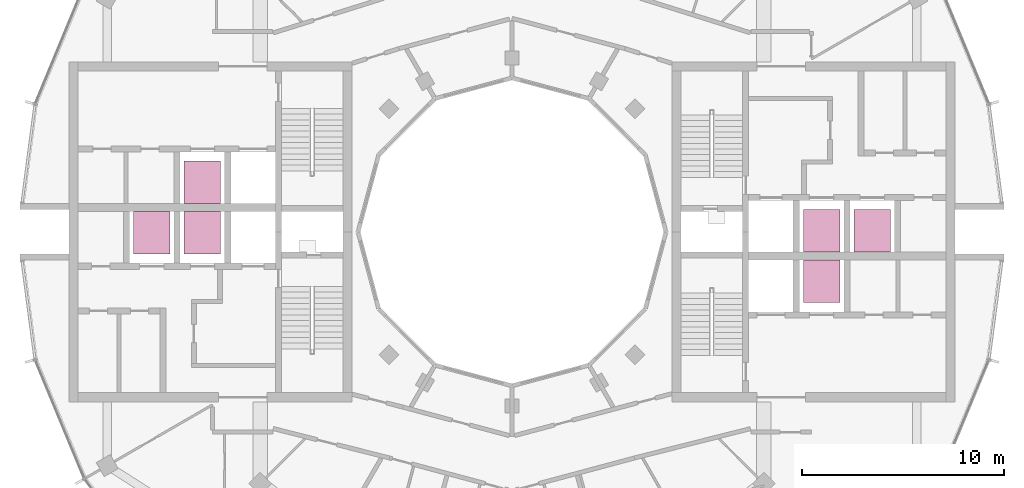
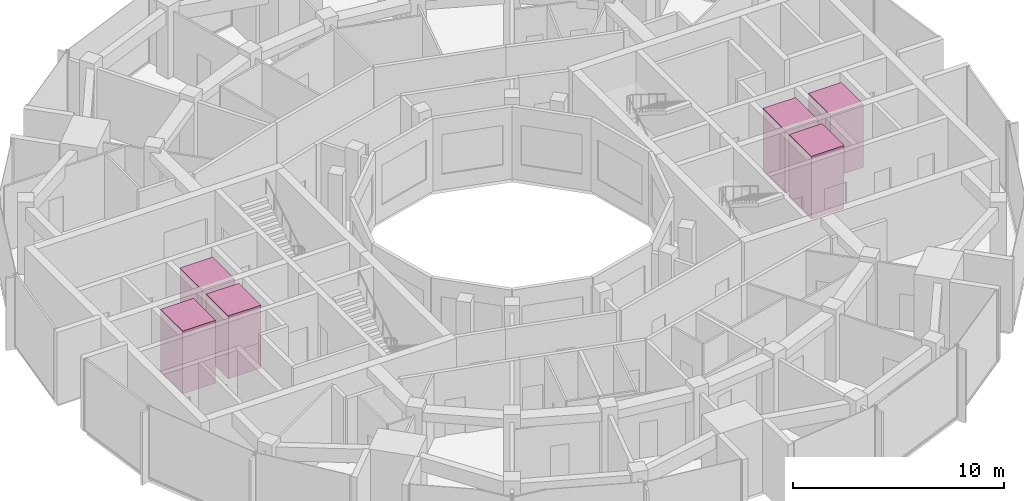
# One storey, part 15 of 15: 6 transport elements.
"""IFC4 building model written with IfcOpenShell, lengths in metres."""

from ifc_helpers import new_model, si_unit, direction, frame, origin, origin_2d, place, context, subcontext, project, spatial, rectangle, extrude, material, type_object, element, save


model = new_model("IFC4")

# Units and contexts
model_context = context("Model", 3, precision=1e-05, world=origin(), true_north=direction((0.0, 1.0)))
body_context = subcontext(model_context, "Body", "Model", "MODEL_VIEW")
ifc_project = project(units=[si_unit("LENGTHUNIT", "METRE"), si_unit("AREAUNIT", "SQUARE_METRE"), si_unit("VOLUMEUNIT", "CUBIC_METRE"), si_unit("PLANEANGLEUNIT", "RADIAN"), si_unit("MASSUNIT", "GRAM", prefix="KILO")], contexts=[model_context])

# Site, building, storey
site_placement = place(None, origin())
site = spatial("IfcSite", under=ifc_project, at=site_placement, CompositionType="ELEMENT")
building_placement = place(site_placement, origin())
building = spatial("IfcBuilding", under=site, at=building_placement, Name="Torre Brocal", CompositionType="ELEMENT")
storey_placement = place(building_placement, frame((0.0, 0.0, 284.10009765625)))
storey = spatial("IfcBuildingStorey", under=building, at=storey_placement, Name="L65", CompositionType="ELEMENT", Elevation=284.10009765625)

# Transport elements
ifc_material = material(Name="Stainless steel AISI 316", Category="steel")
transport_element_type = type_object("IfcTransportElementType", Name="PASSENGER LIFT", PredefinedType="ELEVATOR", material=ifc_material)
for number, where, z_axis, x_axis, name in (
    (1, (95.300048828125, 75.050048828125, 0.0), (0.0, 0.0, 1.0), (1.0, 0.0, 0.0), "HIGH RISE LIFT E-HR1"),
    (2, (95.300048828125, 72.550048828125, 0.0), (0.0, 0.0, 1.0), (1.0, 0.0, 0.0), "HIGH RISE LIFT E-HR2"),
    (3, (97.800048828125, 75.050048828125, 0.0), (0.0, 0.0, 1.0), (1.0, 0.0, 0.0), "HIGH RISE LIFT E-HR3"),
    (4, (64.699951171875, 74.949951171875, 0.0), (0.0, 0.0, 1.0), (1.0, 0.0, 0.0), "HIGH RISE LIFT W-HR1"),
    (5, (64.699951171875, 77.449951171875, 0.0), (0.0, 0.0, 1.0), (1.0, 0.0, 0.0), "HIGH RISE LIFT W-HR2"),
    (6, (62.199951171875, 74.949951171875, 0.0), (0.0, 0.0, 1.0), (1.0, 0.0, 0.0), "HIGH RISE LIFT W-HR3"),
):
    element("IfcTransportElement", number, at=place(storey_placement, frame(where, z_axis=z_axis, x_axis=x_axis)), inside=storey, type_object=transport_element_type, Name=name, PredefinedType="ELEVATOR", context=body_context, shape_type="SweptSolid", body=[
        extrude(rectangle(XDim=1.800048828125, YDim=2.10009765625, at=origin_2d()), origin(), (0.0, 0.0, 1.0), 3.64990234375),
    ])

save(model, "model.ifc")
